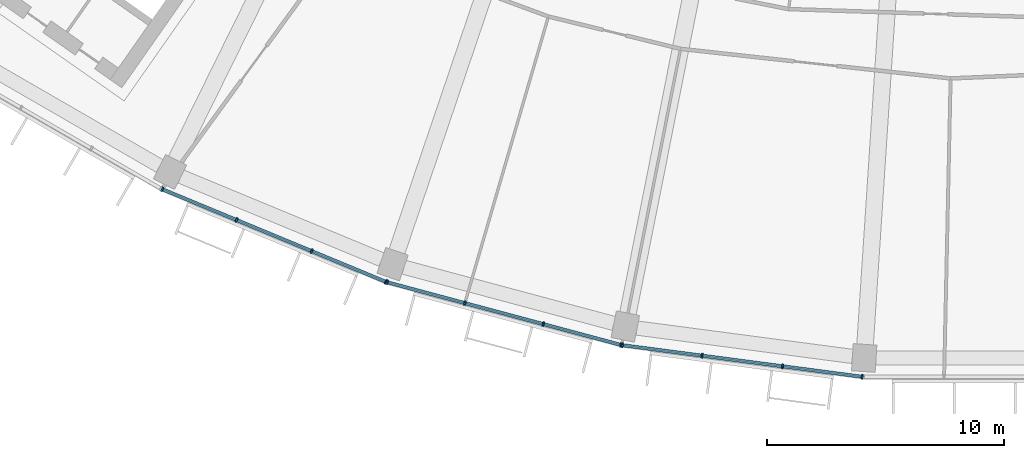
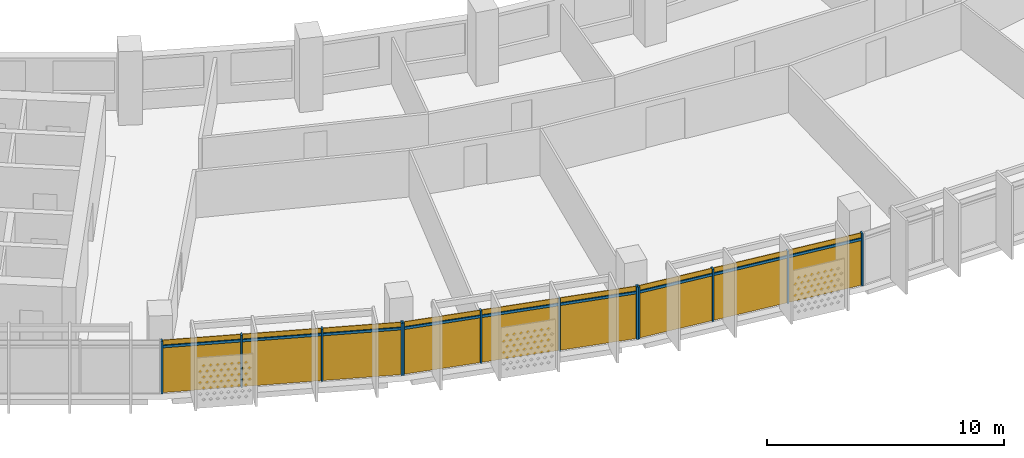
# One storey, part 18 of 28: 21 members, 3 curtain walls.
"""IFC4 building model written with IfcOpenShell, lengths in metres."""

from ifc_helpers import new_model, si_unit, direction, frame, origin, origin_2d, place, context, subcontext, project, spatial, rectangle, extrude, material, material_profile, profile_set, type_object, element, aggregate, save


model = new_model("IFC4")

# Units and contexts
model_context = context("Model", 3, precision=1e-05, world=origin(), true_north=direction((0.0, 1.0)))
body_context = subcontext(model_context, "Body", "Model", "MODEL_VIEW")
ifc_project = project(units=[si_unit("LENGTHUNIT", "METRE"), si_unit("AREAUNIT", "SQUARE_METRE"), si_unit("VOLUMEUNIT", "CUBIC_METRE"), si_unit("PLANEANGLEUNIT", "RADIAN"), si_unit("MASSUNIT", "GRAM", prefix="KILO")], contexts=[model_context])

# Member
ifc_material = material(Name="Aluminium 6063-T6 anodised", Category="aluminium")
ifc_material_profile_1 = material_profile(ifc_material, rectangle(XDim=0.199951171875, YDim=0.070068359375, at=origin_2d()))
ifc_profile_set_1 = profile_set([ifc_material_profile_1], Name="Aluminium 6063-T6 anodised")
member_type_1 = type_object("IfcMemberType", Name="Mullion 70 x 200 aluminium", PredefinedType="MULLION", material=ifc_profile_set_1)
site_placement = place(None, origin())
building_placement = place(site_placement, origin())
storey_placement = place(building_placement, frame((0.0, 0.0, 249.300048828125)))
member_1_placement = place(storey_placement, frame((-34.71533203125, -70.4599609375, 0.0), z_axis=(0.0, 0.0, 1.0), x_axis=(0.382683432365, 0.923879532511, 0.0)))
member_1 = element("IfcMember", 1, at=member_1_placement, type_object=member_type_1, Name="e-cw1-L60-out05/M00", PredefinedType="MULLION", context=body_context, shape_type="SweptSolid", body=[
    extrude(rectangle(XDim=0.199951171875, YDim=0.070068359375, at=origin_2d()), origin(), (0.0, 0.0, 1.0), 2.699951171875),
])

member_2_placement = place(storey_placement, frame((-31.57958984375, -71.759033203125, 0.0), z_axis=(0.0, 0.0, 1.0), x_axis=(0.382683432365, 0.923879532511, 0.0)))
member_2 = element("IfcMember", 2, at=member_2_placement, type_object=member_type_1, Name="e-cw1-L60-out05/M01", PredefinedType="MULLION", context=body_context, shape_type="SweptSolid", body=[
    extrude(rectangle(XDim=0.199951171875, YDim=0.070068359375, at=origin_2d()), origin(), (0.0, 0.0, 1.0), 2.699951171875),
])

member_3_placement = place(storey_placement, frame((-28.4111328125, -73.0712890625, 0.0), z_axis=(0.0, 0.0, 1.0), x_axis=(0.382683432365, 0.923879532511, 0.0)))
member_3 = element("IfcMember", 3, at=member_3_placement, type_object=member_type_1, Name="e-cw1-L60-out05/M02", PredefinedType="MULLION", context=body_context, shape_type="SweptSolid", body=[
    extrude(rectangle(XDim=0.199951171875, YDim=0.070068359375, at=origin_2d()), origin(), (0.0, 0.0, 1.0), 2.699951171875),
])

member_4_placement = place(storey_placement, frame((-25.275390625, -74.370361328125, 0.0), z_axis=(0.0, 0.0, 1.0), x_axis=(0.382683432365, 0.923879532511, 0.0)))
member_4 = element("IfcMember", 4, at=member_4_placement, type_object=member_type_1, Name="e-cw1-L60-out05/M03", PredefinedType="MULLION", context=body_context, shape_type="SweptSolid", body=[
    extrude(rectangle(XDim=0.199951171875, YDim=0.070068359375, at=origin_2d()), origin(), (0.0, 0.0, 1.0), 2.699951171875),
])

member_5_placement = place(storey_placement, frame((-25.221435546875, -74.388427734375, 0.0), z_axis=(0.0, 0.0, 1.0), x_axis=(0.258819045103, 0.965925826289, 0.0)))
member_5 = element("IfcMember", 5, at=member_5_placement, type_object=member_type_1, Name="e-cw1-L60-out06/M00", PredefinedType="MULLION", context=body_context, shape_type="SweptSolid", body=[
    extrude(rectangle(XDim=0.199951171875, YDim=0.070068359375, at=origin_2d()), origin(), (0.0, 0.0, 1.0), 2.699951171875),
])

member_6_placement = place(storey_placement, frame((-21.94287109375, -75.26708984375, 0.0), z_axis=(0.0, 0.0, 1.0), x_axis=(0.258819045103, 0.965925826289, 0.0)))
member_6 = element("IfcMember", 6, at=member_6_placement, type_object=member_type_1, Name="e-cw1-L60-out06/M01", PredefinedType="MULLION", context=body_context, shape_type="SweptSolid", body=[
    extrude(rectangle(XDim=0.199951171875, YDim=0.070068359375, at=origin_2d()), origin(), (0.0, 0.0, 1.0), 2.699951171875),
])

member_7_placement = place(storey_placement, frame((-18.63037109375, -76.154541015625, 0.0), z_axis=(0.0, 0.0, 1.0), x_axis=(0.258819045103, 0.965925826289, 0.0)))
member_7 = element("IfcMember", 7, at=member_7_placement, type_object=member_type_1, Name="e-cw1-L60-out06/M02", PredefinedType="MULLION", context=body_context, shape_type="SweptSolid", body=[
    extrude(rectangle(XDim=0.199951171875, YDim=0.070068359375, at=origin_2d()), origin(), (0.0, 0.0, 1.0), 2.699951171875),
])

member_8_placement = place(storey_placement, frame((-15.351806640625, -77.033203125, 0.0), z_axis=(0.0, 0.0, 1.0), x_axis=(0.258819045103, 0.965925826289, 0.0)))
member_8 = element("IfcMember", 8, at=member_8_placement, type_object=member_type_1, Name="e-cw1-L60-out06/M03", PredefinedType="MULLION", context=body_context, shape_type="SweptSolid", body=[
    extrude(rectangle(XDim=0.199951171875, YDim=0.070068359375, at=origin_2d()), origin(), (0.0, 0.0, 1.0), 2.699951171875),
])

member_9_placement = place(storey_placement, frame((-15.296142578125, -77.044189453125, 0.0), z_axis=(0.0, 0.0, 1.0), x_axis=(0.13052619222, 0.991444861374, 0.0)))
member_9 = element("IfcMember", 9, at=member_9_placement, type_object=member_type_1, Name="e-cw1-L60-out07/M00", PredefinedType="MULLION", context=body_context, shape_type="SweptSolid", body=[
    extrude(rectangle(XDim=0.199951171875, YDim=0.070068359375, at=origin_2d()), origin(), (0.0, 0.0, 1.0), 2.699951171875),
])

member_10_placement = place(storey_placement, frame((-11.930908203125, -77.4873046875, 0.0), z_axis=(0.0, 0.0, 1.0), x_axis=(0.13052619222, 0.991444861374, 0.0)))
member_10 = element("IfcMember", 10, at=member_10_placement, type_object=member_type_1, Name="e-cw1-L60-out07/M01", PredefinedType="MULLION", context=body_context, shape_type="SweptSolid", body=[
    extrude(rectangle(XDim=0.199951171875, YDim=0.070068359375, at=origin_2d()), origin(), (0.0, 0.0, 1.0), 2.699951171875),
])

member_11_placement = place(storey_placement, frame((-8.53076171875, -77.934814453125, 0.0), z_axis=(0.0, 0.0, 1.0), x_axis=(0.13052619222, 0.991444861374, 0.0)))
member_11 = element("IfcMember", 11, at=member_11_placement, type_object=member_type_1, Name="e-cw1-L60-out07/M02", PredefinedType="MULLION", context=body_context, shape_type="SweptSolid", body=[
    extrude(rectangle(XDim=0.199951171875, YDim=0.070068359375, at=origin_2d()), origin(), (0.0, 0.0, 1.0), 2.699951171875),
])

member_12_placement = place(storey_placement, frame((-5.16552734375, -78.3779296875, 0.0), z_axis=(0.0, 0.0, 1.0), x_axis=(0.13052619222, 0.991444861374, 0.0)))
member_12 = element("IfcMember", 12, at=member_12_placement, type_object=member_type_1, Name="e-cw1-L60-out07/M03", PredefinedType="MULLION", context=body_context, shape_type="SweptSolid", body=[
    extrude(rectangle(XDim=0.199951171875, YDim=0.070068359375, at=origin_2d()), origin(), (0.0, 0.0, 1.0), 2.699951171875),
])

ifc_material_profile_2 = material_profile(ifc_material, rectangle(XDim=0.139892578125, YDim=0.1201171875, at=origin_2d()))
ifc_profile_set_2 = profile_set([ifc_material_profile_2], Name="Aluminium 6063-T6 anodised")
member_type_2 = type_object("IfcMemberType", Name="Transom 120 x 140 aluminium", PredefinedType="USERDEFINED", material=ifc_profile_set_2)
member_13_placement = place(storey_placement, frame((-34.68310546875, -70.473388671875, 2.39990234375), z_axis=(0.923874511193, -0.382695554676, 0.0), x_axis=(0.382695554676, 0.923874511193, 0.0)))
member_13 = element("IfcMember", 13, at=member_13_placement, type_object=member_type_2, Name="e-cw1-L60-out05/T00", ObjectType="TRANSOM", PredefinedType="USERDEFINED", context=body_context, shape_type="SweptSolid", body=[
    extrude(rectangle(XDim=0.139892578125, YDim=0.1201171875, at=origin_2d()), origin(), (0.0, 0.0, 1.0), 3.324462890625),
])

member_14_placement = place(storey_placement, frame((-31.547119140625, -71.7724609375, 2.39990234375), z_axis=(0.923891938088, -0.38265348128, 0.0), x_axis=(0.38265348128, 0.923891938088, 0.0)))
member_14 = element("IfcMember", 14, at=member_14_placement, type_object=member_type_2, Name="e-cw1-L60-out05/T01", ObjectType="TRANSOM", PredefinedType="USERDEFINED", context=body_context, shape_type="SweptSolid", body=[
    extrude(rectangle(XDim=0.139892578125, YDim=0.1201171875, at=origin_2d()), origin(), (0.0, 0.0, 1.0), 3.359130859375),
])

member_15_placement = place(storey_placement, frame((-28.37890625, -73.084716796875, 2.39990234375), z_axis=(0.923874511193, -0.382695554676, 0.0), x_axis=(0.382695554676, 0.923874511193, 0.0)))
member_15 = element("IfcMember", 15, at=member_15_placement, type_object=member_type_2, Name="e-cw1-L60-out05/T02", ObjectType="TRANSOM", PredefinedType="USERDEFINED", context=body_context, shape_type="SweptSolid", body=[
    extrude(rectangle(XDim=0.139892578125, YDim=0.1201171875, at=origin_2d()), origin(), (0.0, 0.0, 1.0), 3.324462890625),
])

member_16_placement = place(storey_placement, frame((-25.187744140625, -74.3974609375, 2.39990234375), z_axis=(0.965908708139, -0.25888292246, 0.0), x_axis=(0.25888292246, 0.965908708139, 0.0)))
member_16 = element("IfcMember", 16, at=member_16_placement, type_object=member_type_2, Name="e-cw1-L60-out06/T00", ObjectType="TRANSOM", PredefinedType="USERDEFINED", context=body_context, shape_type="SweptSolid", body=[
    extrude(rectangle(XDim=0.139892578125, YDim=0.1201171875, at=origin_2d()), origin(), (0.0, 0.0, 1.0), 3.32421875),
])

member_17_placement = place(storey_placement, frame((-21.9091796875, -75.276123046875, 2.39990234375), z_axis=(0.965931507774, -0.258797840582, 0.0), x_axis=(0.258797840582, 0.965931507774, 0.0)))
member_17 = element("IfcMember", 17, at=member_17_placement, type_object=member_type_2, Name="e-cw1-L60-out06/T01", ObjectType="TRANSOM", PredefinedType="USERDEFINED", context=body_context, shape_type="SweptSolid", body=[
    extrude(rectangle(XDim=0.139892578125, YDim=0.1201171875, at=origin_2d()), origin(), (0.0, 0.0, 1.0), 3.359375),
])

member_18_placement = place(storey_placement, frame((-18.5966796875, -76.16357421875, 2.39990234375), z_axis=(0.965913629723, -0.258864559019, 0.0), x_axis=(0.258864559019, 0.965913629723, 0.0)))
member_18 = element("IfcMember", 18, at=member_18_placement, type_object=member_type_2, Name="e-cw1-L60-out06/T02", ObjectType="TRANSOM", PredefinedType="USERDEFINED", context=body_context, shape_type="SweptSolid", body=[
    extrude(rectangle(XDim=0.139892578125, YDim=0.1201171875, at=origin_2d()), origin(), (0.0, 0.0, 1.0), 3.324462890625),
])

member_19_placement = place(storey_placement, frame((-15.261474609375, -77.048828125, 2.39990234375), z_axis=(0.991447795146, -0.130503906072, 0.0), x_axis=(0.130503906072, 0.991447795146, 0.0)))
member_19 = element("IfcMember", 19, at=member_19_placement, type_object=member_type_2, Name="e-cw1-L60-out07/T00", ObjectType="TRANSOM", PredefinedType="USERDEFINED", context=body_context, shape_type="SweptSolid", body=[
    extrude(rectangle(XDim=0.139892578125, YDim=0.1201171875, at=origin_2d()), origin(), (0.0, 0.0, 1.0), 3.32421875),
])

member_20_placement = place(storey_placement, frame((-11.896240234375, -77.49169921875, 2.39990234375), z_axis=(0.991444893088, -0.130525951326, 0.0), x_axis=(0.130525951326, 0.991444893088, 0.0)))
member_20 = element("IfcMember", 20, at=member_20_placement, type_object=member_type_2, Name="e-cw1-L60-out07/T01", ObjectType="TRANSOM", PredefinedType="USERDEFINED", context=body_context, shape_type="SweptSolid", body=[
    extrude(rectangle(XDim=0.139892578125, YDim=0.1201171875, at=origin_2d()), origin(), (0.0, 0.0, 1.0), 3.359375),
])

member_21_placement = place(storey_placement, frame((-8.49609375, -77.939453125, 2.39990234375), z_axis=(0.991447795146, -0.130503906072, 0.0), x_axis=(0.130503906072, 0.991447795146, 0.0)))
member_21 = element("IfcMember", 21, at=member_21_placement, type_object=member_type_2, Name="e-cw1-L60-out07/T02", ObjectType="TRANSOM", PredefinedType="USERDEFINED", context=body_context, shape_type="SweptSolid", body=[
    extrude(rectangle(XDim=0.139892578125, YDim=0.1201171875, at=origin_2d()), origin(), (0.0, 0.0, 1.0), 3.32421875),
])

# Site, building, storey
site = spatial("IfcSite", under=ifc_project, at=site_placement, CompositionType="ELEMENT")
building = spatial("IfcBuilding", under=site, at=building_placement, Name="Qamariyya Broadcast Tower", CompositionType="ELEMENT")
storey = spatial("IfcBuildingStorey", under=building, at=storey_placement, Name="L60", CompositionType="ELEMENT", Elevation=249.300048828125)

# Curtain wall
curtain_wall_type = type_object("IfcCurtainWallType", Name="Unitised curtain wall, anodised aluminium", PredefinedType="NOTDEFINED", material=ifc_material)
curtain_wall_1_placement = place(storey_placement, origin())
curtain_wall_1 = element("IfcCurtainWall", 22, at=curtain_wall_1_placement, inside=storey, type_object=curtain_wall_type, Name="e-cw1-L60-out05", PredefinedType="NOTDEFINED", context=body_context, shape_type="SweptSolid", body=[
    extrude(rectangle(XDim=3.32421875, YDim=0.031982421875, at=origin_2d()), frame((-33.1474609375, -71.109375, 0.0), x_axis=(0.923880895135, -0.382680142683, 0.0)), (0.0, 0.0, 1.0), 2.340087890625),
    extrude(rectangle(XDim=3.32421875, YDim=0.031982421875, at=origin_2d()), frame((-33.1474609375, -71.109375, 2.4599609375), x_axis=(0.923880895135, -0.382680142683, 0.0)), (0.0, 0.0, 1.0), 0.239990234375),
    extrude(rectangle(XDim=3.359375, YDim=0.031982421875, at=origin_2d()), frame((-29.995361328125, -72.4150390625, 0.0), x_axis=(0.923880895135, -0.382680142683, 0.0)), (0.0, 0.0, 1.0), 2.340087890625),
    extrude(rectangle(XDim=3.359375, YDim=0.031982421875, at=origin_2d()), frame((-29.995361328125, -72.4150390625, 2.4599609375), x_axis=(0.923880895135, -0.382680142683, 0.0)), (0.0, 0.0, 1.0), 0.239990234375),
    extrude(rectangle(XDim=3.32421875, YDim=0.031982421875, at=origin_2d()), frame((-26.84326171875, -73.720703125, 0.0), x_axis=(0.923880895135, -0.382680142683, 0.0)), (0.0, 0.0, 1.0), 2.340087890625),
    extrude(rectangle(XDim=3.32421875, YDim=0.031982421875, at=origin_2d()), frame((-26.84326171875, -73.720703125, 2.4599609375), x_axis=(0.923880895135, -0.382680142683, 0.0)), (0.0, 0.0, 1.0), 0.239990234375),
])

aggregate(curtain_wall_1, [member_1, member_2, member_3, member_4, member_13, member_14, member_15])

curtain_wall_2_placement = place(storey_placement, origin())
curtain_wall_2 = element("IfcCurtainWall", 23, at=curtain_wall_2_placement, inside=storey, type_object=curtain_wall_type, Name="e-cw1-L60-out06", PredefinedType="NOTDEFINED", context=body_context, shape_type="SweptSolid", body=[
    extrude(rectangle(XDim=3.324462890625, YDim=0.031982421875, at=origin_2d()), frame((-23.582275390625, -74.82763671875, 0.0), x_axis=(0.965923476514, -0.258827814424, 0.0)), (0.0, 0.0, 1.0), 2.340087890625),
    extrude(rectangle(XDim=3.324462890625, YDim=0.031982421875, at=origin_2d()), frame((-23.582275390625, -74.82763671875, 2.4599609375), x_axis=(0.965923476514, -0.258827814424, 0.0)), (0.0, 0.0, 1.0), 0.239990234375),
    extrude(rectangle(XDim=3.359375, YDim=0.031982421875, at=origin_2d()), frame((-20.28662109375, -75.7109375, 0.0), x_axis=(0.965923476514, -0.258827814424, 0.0)), (0.0, 0.0, 1.0), 2.340087890625),
    extrude(rectangle(XDim=3.359375, YDim=0.031982421875, at=origin_2d()), frame((-20.28662109375, -75.7109375, 2.4599609375), x_axis=(0.965923476514, -0.258827814424, 0.0)), (0.0, 0.0, 1.0), 0.239990234375),
    extrude(rectangle(XDim=3.324462890625, YDim=0.031982421875, at=origin_2d()), frame((-16.990966796875, -76.593994140625, 0.0), x_axis=(0.965923476514, -0.258827814424, 0.0)), (0.0, 0.0, 1.0), 2.340087890625),
    extrude(rectangle(XDim=3.324462890625, YDim=0.031982421875, at=origin_2d()), frame((-16.990966796875, -76.593994140625, 2.4599609375), x_axis=(0.965923476514, -0.258827814424, 0.0)), (0.0, 0.0, 1.0), 0.239990234375),
])

aggregate(curtain_wall_2, [member_5, member_6, member_7, member_8, member_16, member_17, member_18])

curtain_wall_3_placement = place(storey_placement, origin())
curtain_wall_3 = element("IfcCurtainWall", 24, at=curtain_wall_3_placement, inside=storey, type_object=curtain_wall_type, Name="e-cw1-L60-out07", PredefinedType="NOTDEFINED", context=body_context, shape_type="SweptSolid", body=[
    extrude(rectangle(XDim=3.32421875, YDim=0.031982421875, at=origin_2d()), frame((-13.613525390625, -77.265625, 0.0), x_axis=(0.991442741341, -0.130542294457, 0.0)), (0.0, 0.0, 1.0), 2.340087890625),
    extrude(rectangle(XDim=3.32421875, YDim=0.031982421875, at=origin_2d()), frame((-13.613525390625, -77.265625, 2.4599609375), x_axis=(0.991442741341, -0.130542294457, 0.0)), (0.0, 0.0, 1.0), 0.239990234375),
    extrude(rectangle(XDim=3.359375, YDim=0.031982421875, at=origin_2d()), frame((-10.23095703125, -77.7109375, 0.0), x_axis=(0.991442741341, -0.130542294457, 0.0)), (0.0, 0.0, 1.0), 2.340087890625),
    extrude(rectangle(XDim=3.359375, YDim=0.031982421875, at=origin_2d()), frame((-10.23095703125, -77.7109375, 2.4599609375), x_axis=(0.991442741341, -0.130542294457, 0.0)), (0.0, 0.0, 1.0), 0.239990234375),
    extrude(rectangle(XDim=3.32421875, YDim=0.031982421875, at=origin_2d()), frame((-6.84814453125, -78.156494140625, 0.0), x_axis=(0.991442741341, -0.130542294457, 0.0)), (0.0, 0.0, 1.0), 2.340087890625),
    extrude(rectangle(XDim=3.32421875, YDim=0.031982421875, at=origin_2d()), frame((-6.84814453125, -78.156494140625, 2.4599609375), x_axis=(0.991442741341, -0.130542294457, 0.0)), (0.0, 0.0, 1.0), 0.239990234375),
])

aggregate(curtain_wall_3, [member_9, member_10, member_11, member_12, member_19, member_20, member_21])

save(model, "model.ifc")
